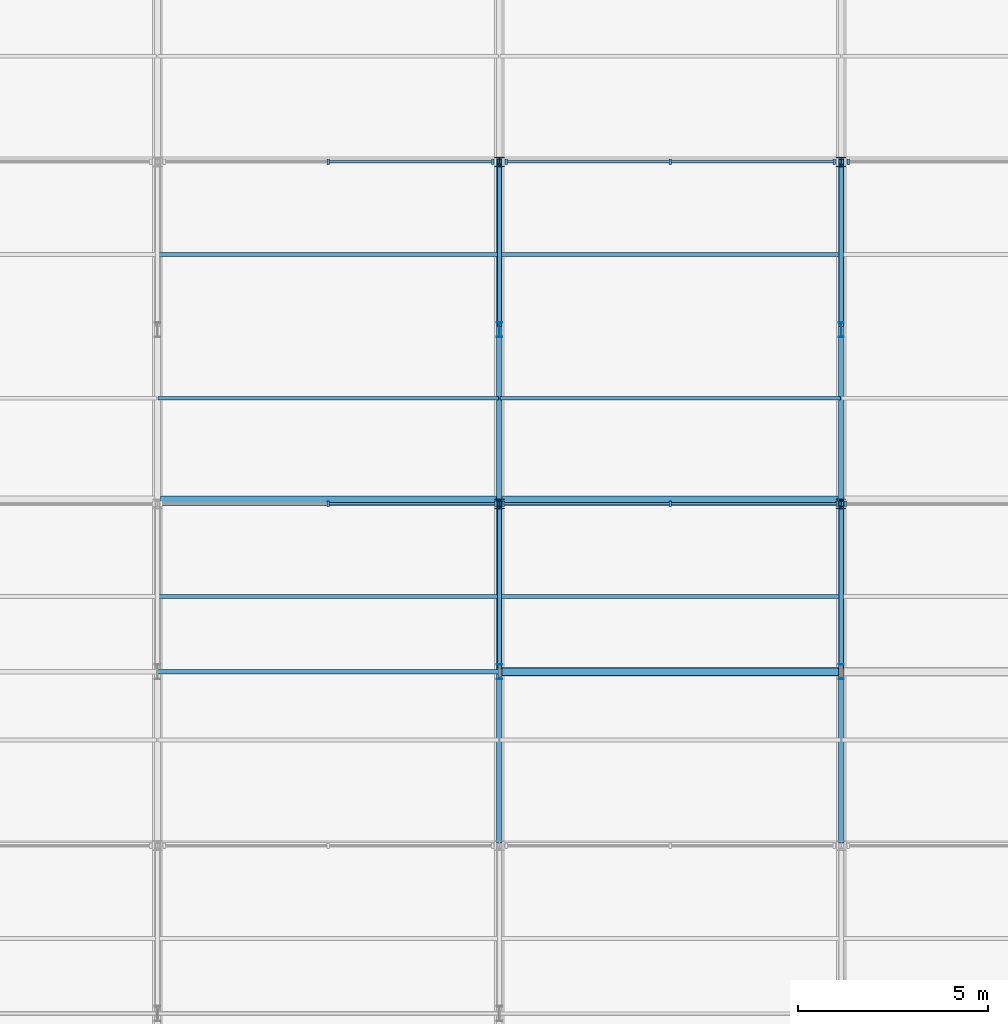
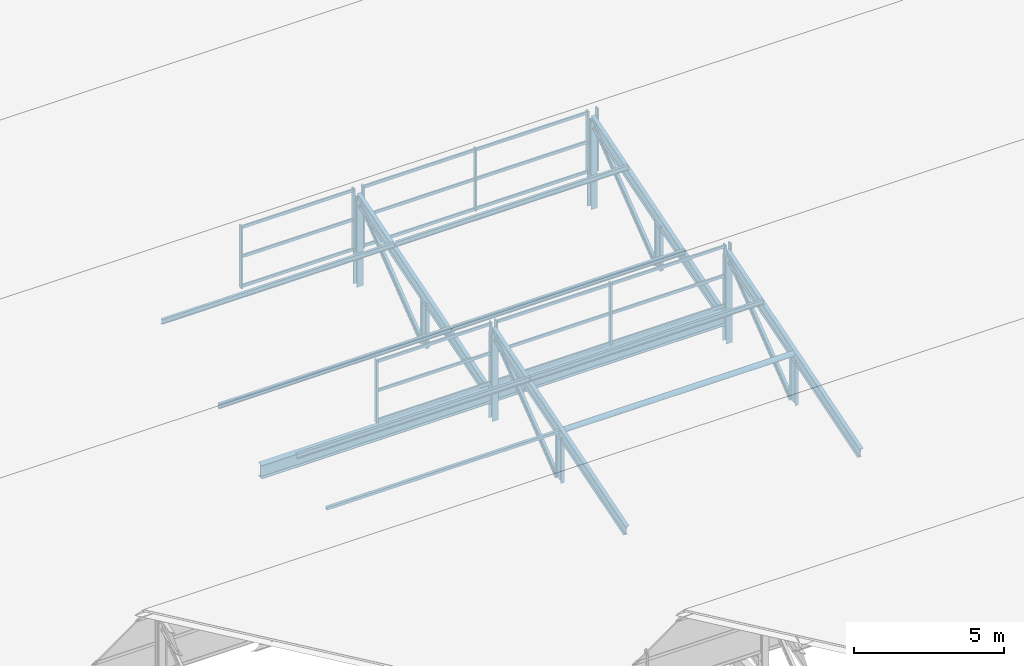
# One storey, part 52 of 163: 54 members, 2 beams, 6 elements without a shape of their own.
"""IFC4 building model written with IfcOpenShell, lengths in metres."""

from ifc_helpers import new_model, si_unit, direction, frame, origin, origin_2d, place, context, subcontext, project, spatial, rectangle, hollow_rectangle, hollow_circle, i_section, extrude, material, material_profile, profile_set, type_object, element, aggregate, save


model = new_model("IFC4")

# Units and contexts
model_context = context("Model", 3, precision=1e-05, world=origin(), true_north=direction((0.0, 1.0)))
body_context = subcontext(model_context, "Body", "Model", "MODEL_VIEW")
ifc_project = project(units=[si_unit("LENGTHUNIT", "METRE"), si_unit("AREAUNIT", "SQUARE_METRE"), si_unit("VOLUMEUNIT", "CUBIC_METRE"), si_unit("PLANEANGLEUNIT", "RADIAN"), si_unit("MASSUNIT", "GRAM", prefix="KILO")], contexts=[model_context])

# Site, building, storey
site_placement = place(None, origin())
site = spatial("IfcSite", under=ifc_project, at=site_placement, CompositionType="ELEMENT")
building_placement = place(site_placement, origin())
building = spatial("IfcBuilding", under=site, at=building_placement, Name="Tharagai Park Tramway Depot", CompositionType="ELEMENT")
storey_placement = place(building_placement, frame((0.0, 0.0, 8.39990234375)))
storey = spatial("IfcBuildingStorey", under=building, at=storey_placement, Name="L02", CompositionType="ELEMENT", Elevation=8.39990234375)

# Beams
ifc_material_1 = material(Name="Steel E350", Category="steel")
ifc_material_profile_1 = material_profile(ifc_material_1, i_section(OverallWidth=0.25, OverallDepth=0.550048828125, WebThickness=0.010498046875, FlangeThickness=0.017578125, FilletRadius=0.01611328125, at=origin_2d()), Name="ISWB 550")
ifc_profile_set_1 = profile_set([ifc_material_profile_1], Name="Steel E350")
beam_type = type_object("IfcBeamType", Name="BM-04", PredefinedType="BEAM", material=ifc_profile_set_1)
for number, where, z_axis, x_axis, name in (
    (1, (27.080078125, 117.0, 0.72509765625), (1.0, 0.0, 0.0), (0.0, 1.0, 0.0), "Sawtooth Valley Girder BM-04"),
    (2, (36.080078125, 117.0, 0.72509765625), (1.0, 0.0, 0.0), (0.0, 1.0, 0.0), "Sawtooth Valley Girder BM-04"),
):
    element("IfcBeam", number, at=place(storey_placement, frame(where, z_axis=z_axis, x_axis=x_axis)), inside=storey, type_object=beam_type, Name=name, PredefinedType="BEAM", context=body_context, shape_type="SweptSolid", body=[
        extrude(i_section(OverallWidth=0.25, OverallDepth=0.550048828125, WebThickness=0.010498046875, FlangeThickness=0.017578125, FilletRadius=0.01611328125, at=origin_2d()), origin(), (0.0, 0.0, 1.0), 8.83984375),
    ])

# Members
ifc_material_profile_2 = material_profile(ifc_material_1, i_section(OverallWidth=0.25, OverallDepth=0.25, WebThickness=0.0087890625, FlangeThickness=0.009765625, FilletRadius=0.010009765625, at=origin_2d()), Name="ISHB 250")
ifc_profile_set_2 = profile_set([ifc_material_profile_2], Name="Steel E350")
member_type_1 = type_object("IfcMemberType", Name="BR-01", PredefinedType="BRACE", material=ifc_profile_set_2)
for number, where, z_axis, x_axis, name in (
    (3, (36.0, 116.919921875, -0.25), (0.0, 0.0, 1.0), (1.0, 0.0, 0.0), "Sawtooth North Vertical Post BR-01"),
    (4, (36.0, 125.919921875, -0.25), (0.0, 0.0, 1.0), (1.0, 0.0, 0.0), "Sawtooth North Vertical Post BR-01"),
    (5, (45.0, 116.919921875, -0.25), (0.0, 0.0, 1.0), (1.0, 0.0, 0.0), "Sawtooth North Vertical Post BR-01"),
    (6, (45.0, 125.919921875, -0.25), (0.0, 0.0, 1.0), (1.0, 0.0, 0.0), "Sawtooth North Vertical Post BR-01"),
):
    element("IfcMember", number, at=place(storey_placement, frame(where, z_axis=z_axis, x_axis=x_axis)), inside=storey, type_object=member_type_1, Name=name, PredefinedType="BRACE", context=body_context, shape_type="SweptSolid", body=[
        extrude(i_section(OverallWidth=0.25, OverallDepth=0.25, WebThickness=0.0087890625, FlangeThickness=0.009765625, FilletRadius=0.010009765625, at=origin_2d()), origin(), (0.0, 0.0, 1.0), 3.55517578125),
    ])
ifc_material_profile_3 = material_profile(ifc_material_1, hollow_circle(Radius=0.109619140625, WallThickness=0.008056640625, at=origin_2d()), Name="CHS 219.1x8")
ifc_profile_set_3 = profile_set([ifc_material_profile_3], Name="Steel E350")
member_type_2 = type_object("IfcMemberType", Name="BR-03", PredefinedType="BRACE", material=ifc_profile_set_3)
member_1_placement = place(storey_placement, frame((36.02001953125, 112.5, 1.946533203125), z_axis=(1.0, 0.0, 0.0), x_axis=(0.0, 1.0, 0.0)))
element("IfcMember", 7, at=member_1_placement, inside=storey, type_object=member_type_2, Name="Sawtooth Tubular Tie Strut BR-03", PredefinedType="BRACE", context=body_context, shape_type="SweptSolid", body=[
    extrude(hollow_circle(Radius=0.109619140625, WallThickness=0.008056640625, at=origin_2d()), origin(), (0.0, 0.0, 1.0), 8.9599609375),
])
ifc_material_profile_4 = material_profile(ifc_material_1, i_section(OverallWidth=0.110107421875, OverallDepth=0.22509765625, WebThickness=0.006591796875, FlangeThickness=0.01171875, FilletRadius=0.011962890625, at=origin_2d()), Name="ISMB 225")
ifc_profile_set_4 = profile_set([ifc_material_profile_4], Name="Steel E350")
member_type_3 = type_object("IfcMemberType", Name="BR-04", PredefinedType="BRACE", material=ifc_profile_set_4)
for number, where, z_axis, x_axis, name in (
    (8, (36.0, 112.64990234375, 0.0), (0.0, 0.790781596, 0.612098413188), (-1.0, 0.0, 0.0), "Sawtooth Truss Web Diagonal BR-04"),
    (9, (36.0, 121.64990234375, 0.0), (0.0, 0.790781596, 0.612098413188), (-1.0, 0.0, 0.0), "Sawtooth Truss Web Diagonal BR-04"),
    (10, (45.0, 112.64990234375, 0.0), (0.0, 0.790781596, 0.612098413188), (-1.0, 0.0, 0.0), "Sawtooth Truss Web Diagonal BR-04"),
    (11, (45.0, 121.64990234375, 0.0), (0.0, 0.790781596, 0.612098413188), (-1.0, 0.0, 0.0), "Sawtooth Truss Web Diagonal BR-04"),
):
    element("IfcMember", number, at=place(storey_placement, frame(where, z_axis=z_axis, x_axis=x_axis)), inside=storey, type_object=member_type_3, Name=name, PredefinedType="BRACE", context=body_context, shape_type="SweptSolid", body=[
        extrude(i_section(OverallWidth=0.110107421875, OverallDepth=0.22509765625, WebThickness=0.006591796875, FlangeThickness=0.01171875, FilletRadius=0.011962890625, at=origin_2d()), origin(), (0.0, 0.0, 1.0), 5.399658203125),
    ])
ifc_material_2 = material(Name="Steel E250", Category="steel")
ifc_material_profile_5 = material_profile(ifc_material_2, hollow_rectangle(XDim=0.1201171875, YDim=0.1201171875, WallThickness=0.0048828125, InnerFilletRadius=0.0048828125, OuterFilletRadius=0.010009765625, at=origin_2d()), Name="SHS 120x120x5")
ifc_profile_set_5 = profile_set([ifc_material_profile_5], Name="Steel E250")
member_type_4 = type_object("IfcMemberType", Name="BR-08", PredefinedType="BRACE", material=ifc_profile_set_5)
member_2_placement = place(storey_placement, frame((27.02001953125, 112.5, 1.946533203125), z_axis=(1.0, 0.0, 0.0), x_axis=(0.0, 1.0, 0.0)))
element("IfcMember", 12, at=member_2_placement, inside=storey, type_object=member_type_4, Name="Sawtooth Tubular Tie Strut BR-08", PredefinedType="BRACE", context=body_context, shape_type="SweptSolid", body=[
    extrude(hollow_rectangle(XDim=0.1201171875, YDim=0.1201171875, WallThickness=0.0048828125, InnerFilletRadius=0.0048828125, OuterFilletRadius=0.010009765625, at=origin_2d()), origin(), (0.0, 0.0, 1.0), 8.9599609375),
])

# Curtain wall, members
ifc_material_3 = material(Name="Anodised aluminium", Category="aluminium")
curtain_wall_type_1 = type_object("IfcCurtainWallType", Name="CW-04", PredefinedType="NOTDEFINED", material=ifc_material_3)
curtain_wall_1_placement = place(storey_placement, origin())
curtain_wall_1 = element("IfcCurtainWall", 13, at=curtain_wall_1_placement, inside=storey, type_object=curtain_wall_type_1, Name="Sawtooth North-Light Clerestory CW-04", PredefinedType="NOTDEFINED")
ifc_material_profile_6 = material_profile(ifc_material_3, rectangle(XDim=0.06494140625, YDim=0.1201171875, at=origin_2d()), Name="ALU 65x120")
ifc_profile_set_6 = profile_set([ifc_material_profile_6], Name="Anodised aluminium")
member_type_5 = type_object("IfcMemberType", Name="CM-01", PredefinedType="USERDEFINED", material=ifc_profile_set_6)
member_3_placement = place(storey_placement, frame((31.514892578125, 116.919921875, 1.26513671875), z_axis=(1.0, 0.0, 0.0), x_axis=(0.0, 1.0, 0.0)))
member_3 = element("IfcMember", 14, at=member_3_placement, type_object=member_type_5, Name="Sawtooth North-Light Clerestory Transom 2.1", ObjectType="TRANSOM", PredefinedType="USERDEFINED", context=body_context, shape_type="SweptSolid", body=[
    extrude(rectangle(XDim=0.06494140625, YDim=0.1201171875, at=origin_2d()), origin(), (0.0, 0.0, 1.0), 4.3701171875),
])
member_4_placement = place(storey_placement, frame((31.514892578125, 116.919921875, 2.4736328125), z_axis=(1.0, 0.0, 0.0), x_axis=(0.0, 1.0, 0.0)))
member_4 = element("IfcMember", 15, at=member_4_placement, type_object=member_type_5, Name="Sawtooth North-Light Clerestory Transom 2.2", ObjectType="TRANSOM", PredefinedType="USERDEFINED", context=body_context, shape_type="SweptSolid", body=[
    extrude(rectangle(XDim=0.06494140625, YDim=0.1201171875, at=origin_2d()), origin(), (0.0, 0.0, 1.0), 4.3701171875),
])
member_5_placement = place(storey_placement, frame((31.514892578125, 116.919921875, 3.662353515625), z_axis=(1.0, 0.0, 0.0), x_axis=(0.0, 1.0, 0.0)))
member_5 = element("IfcMember", 16, at=member_5_placement, type_object=member_type_5, Name="Sawtooth North-Light Clerestory Transom 2.3", ObjectType="TRANSOM", PredefinedType="USERDEFINED", context=body_context, shape_type="SweptSolid", body=[
    extrude(rectangle(XDim=0.06494140625, YDim=0.1201171875, at=origin_2d()), origin(), (0.0, 0.0, 1.0), 4.3701171875),
])

curtain_wall_2_placement = place(storey_placement, origin())
curtain_wall_2 = element("IfcCurtainWall", 17, at=curtain_wall_2_placement, inside=storey, type_object=curtain_wall_type_1, Name="Sawtooth North-Light Clerestory CW-04", PredefinedType="NOTDEFINED")
member_6_placement = place(storey_placement, frame((36.114990234375, 116.919921875, 1.26513671875), z_axis=(1.0, 0.0, 0.0), x_axis=(0.0, 1.0, 0.0)))
member_6 = element("IfcMember", 18, at=member_6_placement, type_object=member_type_5, Name="Sawtooth North-Light Clerestory Transom 1.1", ObjectType="TRANSOM", PredefinedType="USERDEFINED", context=body_context, shape_type="SweptSolid", body=[
    extrude(rectangle(XDim=0.06494140625, YDim=0.1201171875, at=origin_2d()), origin(), (0.0, 0.0, 1.0), 4.3701171875),
])
member_7_placement = place(storey_placement, frame((36.114990234375, 116.919921875, 2.4736328125), z_axis=(1.0, 0.0, 0.0), x_axis=(0.0, 1.0, 0.0)))
member_7 = element("IfcMember", 19, at=member_7_placement, type_object=member_type_5, Name="Sawtooth North-Light Clerestory Transom 1.2", ObjectType="TRANSOM", PredefinedType="USERDEFINED", context=body_context, shape_type="SweptSolid", body=[
    extrude(rectangle(XDim=0.06494140625, YDim=0.1201171875, at=origin_2d()), origin(), (0.0, 0.0, 1.0), 4.3701171875),
])
member_8_placement = place(storey_placement, frame((36.114990234375, 116.919921875, 3.662353515625), z_axis=(1.0, 0.0, 0.0), x_axis=(0.0, 1.0, 0.0)))
member_8 = element("IfcMember", 20, at=member_8_placement, type_object=member_type_5, Name="Sawtooth North-Light Clerestory Transom 1.3", ObjectType="TRANSOM", PredefinedType="USERDEFINED", context=body_context, shape_type="SweptSolid", body=[
    extrude(rectangle(XDim=0.06494140625, YDim=0.1201171875, at=origin_2d()), origin(), (0.0, 0.0, 1.0), 4.3701171875),
])
member_9_placement = place(storey_placement, frame((40.514892578125, 116.919921875, 1.26513671875), z_axis=(1.0, 0.0, 0.0), x_axis=(0.0, 1.0, 0.0)))
member_9 = element("IfcMember", 21, at=member_9_placement, type_object=member_type_5, Name="Sawtooth North-Light Clerestory Transom 2.1", ObjectType="TRANSOM", PredefinedType="USERDEFINED", context=body_context, shape_type="SweptSolid", body=[
    extrude(rectangle(XDim=0.06494140625, YDim=0.1201171875, at=origin_2d()), origin(), (0.0, 0.0, 1.0), 4.3701171875),
])
member_10_placement = place(storey_placement, frame((40.514892578125, 116.919921875, 2.4736328125), z_axis=(1.0, 0.0, 0.0), x_axis=(0.0, 1.0, 0.0)))
member_10 = element("IfcMember", 22, at=member_10_placement, type_object=member_type_5, Name="Sawtooth North-Light Clerestory Transom 2.2", ObjectType="TRANSOM", PredefinedType="USERDEFINED", context=body_context, shape_type="SweptSolid", body=[
    extrude(rectangle(XDim=0.06494140625, YDim=0.1201171875, at=origin_2d()), origin(), (0.0, 0.0, 1.0), 4.3701171875),
])
member_11_placement = place(storey_placement, frame((40.514892578125, 116.919921875, 3.662353515625), z_axis=(1.0, 0.0, 0.0), x_axis=(0.0, 1.0, 0.0)))
member_11 = element("IfcMember", 23, at=member_11_placement, type_object=member_type_5, Name="Sawtooth North-Light Clerestory Transom 2.3", ObjectType="TRANSOM", PredefinedType="USERDEFINED", context=body_context, shape_type="SweptSolid", body=[
    extrude(rectangle(XDim=0.06494140625, YDim=0.1201171875, at=origin_2d()), origin(), (0.0, 0.0, 1.0), 4.3701171875),
])

curtain_wall_type_2 = type_object("IfcCurtainWallType", Name="CW-03", PredefinedType="NOTDEFINED", material=ifc_material_3)
curtain_wall_3_placement = place(storey_placement, origin())
curtain_wall_3 = element("IfcCurtainWall", 24, at=curtain_wall_3_placement, inside=storey, type_object=curtain_wall_type_2, Name="Sawtooth North-Light Clerestory CW-03", PredefinedType="NOTDEFINED")
member_12_placement = place(storey_placement, frame((31.514892578125, 125.919921875, 1.26513671875), z_axis=(1.0, 0.0, 0.0), x_axis=(0.0, 1.0, 0.0)))
member_12 = element("IfcMember", 25, at=member_12_placement, type_object=member_type_5, Name="Sawtooth North-Light Clerestory Transom 2.1", ObjectType="TRANSOM", PredefinedType="USERDEFINED", context=body_context, shape_type="SweptSolid", body=[
    extrude(rectangle(XDim=0.06494140625, YDim=0.1201171875, at=origin_2d()), origin(), (0.0, 0.0, 1.0), 4.2900390625),
])
member_13_placement = place(storey_placement, frame((31.514892578125, 125.919921875, 2.4736328125), z_axis=(1.0, 0.0, 0.0), x_axis=(0.0, 1.0, 0.0)))
member_13 = element("IfcMember", 26, at=member_13_placement, type_object=member_type_5, Name="Sawtooth North-Light Clerestory Transom 2.2", ObjectType="TRANSOM", PredefinedType="USERDEFINED", context=body_context, shape_type="SweptSolid", body=[
    extrude(rectangle(XDim=0.06494140625, YDim=0.1201171875, at=origin_2d()), origin(), (0.0, 0.0, 1.0), 4.2900390625),
])
member_14_placement = place(storey_placement, frame((31.514892578125, 125.919921875, 3.662353515625), z_axis=(1.0, 0.0, 0.0), x_axis=(0.0, 1.0, 0.0)))
member_14 = element("IfcMember", 27, at=member_14_placement, type_object=member_type_5, Name="Sawtooth North-Light Clerestory Transom 2.3", ObjectType="TRANSOM", PredefinedType="USERDEFINED", context=body_context, shape_type="SweptSolid", body=[
    extrude(rectangle(XDim=0.06494140625, YDim=0.1201171875, at=origin_2d()), origin(), (0.0, 0.0, 1.0), 4.2900390625),
])

curtain_wall_4_placement = place(storey_placement, origin())
curtain_wall_4 = element("IfcCurtainWall", 28, at=curtain_wall_4_placement, inside=storey, type_object=curtain_wall_type_2, Name="Sawtooth North-Light Clerestory CW-03", PredefinedType="NOTDEFINED")
member_15_placement = place(storey_placement, frame((36.195068359375, 125.919921875, 1.26513671875), z_axis=(1.0, 0.0, 0.0), x_axis=(0.0, 1.0, 0.0)))
member_15 = element("IfcMember", 29, at=member_15_placement, type_object=member_type_5, Name="Sawtooth North-Light Clerestory Transom 1.1", ObjectType="TRANSOM", PredefinedType="USERDEFINED", context=body_context, shape_type="SweptSolid", body=[
    extrude(rectangle(XDim=0.06494140625, YDim=0.1201171875, at=origin_2d()), origin(), (0.0, 0.0, 1.0), 4.2900390625),
])
member_16_placement = place(storey_placement, frame((36.195068359375, 125.919921875, 2.4736328125), z_axis=(1.0, 0.0, 0.0), x_axis=(0.0, 1.0, 0.0)))
member_16 = element("IfcMember", 30, at=member_16_placement, type_object=member_type_5, Name="Sawtooth North-Light Clerestory Transom 1.2", ObjectType="TRANSOM", PredefinedType="USERDEFINED", context=body_context, shape_type="SweptSolid", body=[
    extrude(rectangle(XDim=0.06494140625, YDim=0.1201171875, at=origin_2d()), origin(), (0.0, 0.0, 1.0), 4.2900390625),
])
member_17_placement = place(storey_placement, frame((36.195068359375, 125.919921875, 3.662353515625), z_axis=(1.0, 0.0, 0.0), x_axis=(0.0, 1.0, 0.0)))
member_17 = element("IfcMember", 31, at=member_17_placement, type_object=member_type_5, Name="Sawtooth North-Light Clerestory Transom 1.3", ObjectType="TRANSOM", PredefinedType="USERDEFINED", context=body_context, shape_type="SweptSolid", body=[
    extrude(rectangle(XDim=0.06494140625, YDim=0.1201171875, at=origin_2d()), origin(), (0.0, 0.0, 1.0), 4.2900390625),
])
member_18_placement = place(storey_placement, frame((40.514892578125, 125.919921875, 1.26513671875), z_axis=(1.0, 0.0, 0.0), x_axis=(0.0, 1.0, 0.0)))
member_18 = element("IfcMember", 32, at=member_18_placement, type_object=member_type_5, Name="Sawtooth North-Light Clerestory Transom 2.1", ObjectType="TRANSOM", PredefinedType="USERDEFINED", context=body_context, shape_type="SweptSolid", body=[
    extrude(rectangle(XDim=0.06494140625, YDim=0.1201171875, at=origin_2d()), origin(), (0.0, 0.0, 1.0), 4.2900390625),
])
member_19_placement = place(storey_placement, frame((40.514892578125, 125.919921875, 2.4736328125), z_axis=(1.0, 0.0, 0.0), x_axis=(0.0, 1.0, 0.0)))
member_19 = element("IfcMember", 33, at=member_19_placement, type_object=member_type_5, Name="Sawtooth North-Light Clerestory Transom 2.2", ObjectType="TRANSOM", PredefinedType="USERDEFINED", context=body_context, shape_type="SweptSolid", body=[
    extrude(rectangle(XDim=0.06494140625, YDim=0.1201171875, at=origin_2d()), origin(), (0.0, 0.0, 1.0), 4.2900390625),
])
member_20_placement = place(storey_placement, frame((40.514892578125, 125.919921875, 3.662353515625), z_axis=(1.0, 0.0, 0.0), x_axis=(0.0, 1.0, 0.0)))
member_20 = element("IfcMember", 34, at=member_20_placement, type_object=member_type_5, Name="Sawtooth North-Light Clerestory Transom 2.3", ObjectType="TRANSOM", PredefinedType="USERDEFINED", context=body_context, shape_type="SweptSolid", body=[
    extrude(rectangle(XDim=0.06494140625, YDim=0.1201171875, at=origin_2d()), origin(), (0.0, 0.0, 1.0), 4.2900390625),
])

# Member
ifc_material_profile_7 = material_profile(ifc_material_3, rectangle(XDim=0.06494140625, YDim=0.14990234375, at=origin_2d()), Name="ALU 65x150")
ifc_profile_set_7 = profile_set([ifc_material_profile_7], Name="Anodised aluminium")
member_type_6 = type_object("IfcMemberType", Name="CM-03", PredefinedType="MULLION", material=ifc_profile_set_7)
member_21_placement = place(storey_placement, frame((31.5, 116.919921875, 1.2001953125), z_axis=(0.0, 0.0, 1.0), x_axis=(1.0, 0.0, 0.0)))
member_21 = element("IfcMember", 35, at=member_21_placement, type_object=member_type_6, Name="Sawtooth North-Light Clerestory Mullion 2", PredefinedType="MULLION", context=body_context, shape_type="SweptSolid", body=[
    extrude(rectangle(XDim=0.06494140625, YDim=0.14990234375, at=origin_2d()), origin(), (0.0, 0.0, 1.0), 2.547119140625),
])

member_22_placement = place(storey_placement, frame((35.89990234375, 116.919921875, 1.2001953125), z_axis=(0.0, 0.0, 1.0), x_axis=(1.0, 0.0, 0.0)))
member_22 = element("IfcMember", 36, at=member_22_placement, type_object=member_type_6, Name="Sawtooth North-Light Clerestory Mullion 3", PredefinedType="MULLION", context=body_context, shape_type="SweptSolid", body=[
    extrude(rectangle(XDim=0.06494140625, YDim=0.14990234375, at=origin_2d()), origin(), (0.0, 0.0, 1.0), 2.547119140625),
])

aggregate(curtain_wall_1, [member_21, member_22, member_3, member_4, member_5])

member_23_placement = place(storey_placement, frame((36.10009765625, 116.919921875, 1.2001953125), z_axis=(0.0, 0.0, 1.0), x_axis=(1.0, 0.0, 0.0)))
member_23 = element("IfcMember", 37, at=member_23_placement, type_object=member_type_6, Name="Sawtooth North-Light Clerestory Mullion 1", PredefinedType="MULLION", context=body_context, shape_type="SweptSolid", body=[
    extrude(rectangle(XDim=0.06494140625, YDim=0.14990234375, at=origin_2d()), origin(), (0.0, 0.0, 1.0), 2.547119140625),
])

member_24_placement = place(storey_placement, frame((40.5, 116.919921875, 1.2001953125), z_axis=(0.0, 0.0, 1.0), x_axis=(1.0, 0.0, 0.0)))
member_24 = element("IfcMember", 38, at=member_24_placement, type_object=member_type_6, Name="Sawtooth North-Light Clerestory Mullion 2", PredefinedType="MULLION", context=body_context, shape_type="SweptSolid", body=[
    extrude(rectangle(XDim=0.06494140625, YDim=0.14990234375, at=origin_2d()), origin(), (0.0, 0.0, 1.0), 2.547119140625),
])

member_25_placement = place(storey_placement, frame((44.89990234375, 116.919921875, 1.2001953125), z_axis=(0.0, 0.0, 1.0), x_axis=(1.0, 0.0, 0.0)))
member_25 = element("IfcMember", 39, at=member_25_placement, type_object=member_type_6, Name="Sawtooth North-Light Clerestory Mullion 3", PredefinedType="MULLION", context=body_context, shape_type="SweptSolid", body=[
    extrude(rectangle(XDim=0.06494140625, YDim=0.14990234375, at=origin_2d()), origin(), (0.0, 0.0, 1.0), 2.547119140625),
])

aggregate(curtain_wall_2, [member_23, member_24, member_25, member_6, member_7, member_8, member_9, member_10, member_11])

# Curtain wall, member
curtain_wall_5_placement = place(storey_placement, origin())
curtain_wall_5 = element("IfcCurtainWall", 40, at=curtain_wall_5_placement, inside=storey, type_object=curtain_wall_type_1, Name="Sawtooth North-Light Clerestory CW-04", PredefinedType="NOTDEFINED")
member_26_placement = place(storey_placement, frame((45.10009765625, 116.919921875, 1.2001953125), z_axis=(0.0, 0.0, 1.0), x_axis=(1.0, 0.0, 0.0)))
member_26 = element("IfcMember", 41, at=member_26_placement, type_object=member_type_6, Name="Sawtooth North-Light Clerestory Mullion 1", PredefinedType="MULLION", context=body_context, shape_type="SweptSolid", body=[
    extrude(rectangle(XDim=0.06494140625, YDim=0.14990234375, at=origin_2d()), origin(), (0.0, 0.0, 1.0), 2.547119140625),
])
aggregate(curtain_wall_5, [member_26])

# Member
member_27_placement = place(storey_placement, frame((31.5, 125.919921875, 1.2001953125), z_axis=(0.0, 0.0, 1.0), x_axis=(1.0, 0.0, 0.0)))
member_27 = element("IfcMember", 42, at=member_27_placement, type_object=member_type_6, Name="Sawtooth North-Light Clerestory Mullion 2", PredefinedType="MULLION", context=body_context, shape_type="SweptSolid", body=[
    extrude(rectangle(XDim=0.06494140625, YDim=0.14990234375, at=origin_2d()), origin(), (0.0, 0.0, 1.0), 2.547119140625),
])

member_28_placement = place(storey_placement, frame((35.820068359375, 125.919921875, 1.2001953125), z_axis=(0.0, 0.0, 1.0), x_axis=(1.0, 0.0, 0.0)))
member_28 = element("IfcMember", 43, at=member_28_placement, type_object=member_type_6, Name="Sawtooth North-Light Clerestory Mullion 3", PredefinedType="MULLION", context=body_context, shape_type="SweptSolid", body=[
    extrude(rectangle(XDim=0.06494140625, YDim=0.14990234375, at=origin_2d()), origin(), (0.0, 0.0, 1.0), 2.547119140625),
])

aggregate(curtain_wall_3, [member_27, member_28, member_12, member_13, member_14])

member_29_placement = place(storey_placement, frame((36.179931640625, 125.919921875, 1.2001953125), z_axis=(0.0, 0.0, 1.0), x_axis=(1.0, 0.0, 0.0)))
member_29 = element("IfcMember", 44, at=member_29_placement, type_object=member_type_6, Name="Sawtooth North-Light Clerestory Mullion 1", PredefinedType="MULLION", context=body_context, shape_type="SweptSolid", body=[
    extrude(rectangle(XDim=0.06494140625, YDim=0.14990234375, at=origin_2d()), origin(), (0.0, 0.0, 1.0), 2.547119140625),
])

member_30_placement = place(storey_placement, frame((40.5, 125.919921875, 1.2001953125), z_axis=(0.0, 0.0, 1.0), x_axis=(1.0, 0.0, 0.0)))
member_30 = element("IfcMember", 45, at=member_30_placement, type_object=member_type_6, Name="Sawtooth North-Light Clerestory Mullion 2", PredefinedType="MULLION", context=body_context, shape_type="SweptSolid", body=[
    extrude(rectangle(XDim=0.06494140625, YDim=0.14990234375, at=origin_2d()), origin(), (0.0, 0.0, 1.0), 2.547119140625),
])

member_31_placement = place(storey_placement, frame((44.820068359375, 125.919921875, 1.2001953125), z_axis=(0.0, 0.0, 1.0), x_axis=(1.0, 0.0, 0.0)))
member_31 = element("IfcMember", 46, at=member_31_placement, type_object=member_type_6, Name="Sawtooth North-Light Clerestory Mullion 3", PredefinedType="MULLION", context=body_context, shape_type="SweptSolid", body=[
    extrude(rectangle(XDim=0.06494140625, YDim=0.14990234375, at=origin_2d()), origin(), (0.0, 0.0, 1.0), 2.547119140625),
])

aggregate(curtain_wall_4, [member_29, member_30, member_31, member_15, member_16, member_17, member_18, member_19, member_20])

# Curtain wall, member
curtain_wall_6_placement = place(storey_placement, origin())
curtain_wall_6 = element("IfcCurtainWall", 47, at=curtain_wall_6_placement, inside=storey, type_object=curtain_wall_type_2, Name="Sawtooth North-Light Clerestory CW-03", PredefinedType="NOTDEFINED")
member_32_placement = place(storey_placement, frame((45.179931640625, 125.919921875, 1.2001953125), z_axis=(0.0, 0.0, 1.0), x_axis=(1.0, 0.0, 0.0)))
member_32 = element("IfcMember", 48, at=member_32_placement, type_object=member_type_6, Name="Sawtooth North-Light Clerestory Mullion 1", PredefinedType="MULLION", context=body_context, shape_type="SweptSolid", body=[
    extrude(rectangle(XDim=0.06494140625, YDim=0.14990234375, at=origin_2d()), origin(), (0.0, 0.0, 1.0), 2.547119140625),
])
aggregate(curtain_wall_6, [member_32])

# Members
ifc_material_profile_8 = material_profile(ifc_material_2, i_section(OverallWidth=0.10009765625, OverallDepth=0.199951171875, WebThickness=0.00537109375, FlangeThickness=0.00732421875, FilletRadius=0.009033203125, at=origin_2d()), Name="ISLB 200")
ifc_profile_set_8 = profile_set([ifc_material_profile_8], Name="Steel E250")
member_type_7 = type_object("IfcMemberType", Name="PR-03", PredefinedType="PURLIN", material=ifc_profile_set_8)
for number, where, z_axis, x_axis, name in (
    (49, (27.02001953125, 119.699951171875, 1.733154296875), (1.0, 0.0, 0.0), (0.0, 1.0, 0.0), "Sawtooth Roof Purlin PR-03"),
    (50, (27.02001953125, 123.47998046875, 2.87451171875), (1.0, 0.0, 0.0), (0.0, 1.0, 0.0), "Sawtooth Roof Purlin PR-03"),
    (51, (36.02001953125, 119.699951171875, 1.733154296875), (1.0, 0.0, 0.0), (0.0, 1.0, 0.0), "Sawtooth Roof Purlin PR-03"),
    (52, (36.02001953125, 123.47998046875, 2.87451171875), (1.0, 0.0, 0.0), (0.0, 1.0, 0.0), "Sawtooth Roof Purlin PR-03"),
):
    element("IfcMember", number, at=place(storey_placement, frame(where, z_axis=z_axis, x_axis=x_axis)), inside=storey, type_object=member_type_7, Name=name, PredefinedType="PURLIN", context=body_context, shape_type="SweptSolid", body=[
        extrude(i_section(OverallWidth=0.10009765625, OverallDepth=0.199951171875, WebThickness=0.00537109375, FlangeThickness=0.00732421875, FilletRadius=0.009033203125, at=origin_2d()), origin(), (0.0, 0.0, 1.0), 8.9599609375),
    ])
ifc_material_profile_9 = material_profile(ifc_material_2, i_section(OverallWidth=0.10009765625, OverallDepth=0.199951171875, WebThickness=0.005615234375, FlangeThickness=0.0107421875, FilletRadius=0.010986328125, at=origin_2d()), Name="ISMB 200")
ifc_profile_set_9 = profile_set([ifc_material_profile_9], Name="Steel E250")
member_type_8 = type_object("IfcMemberType", Name="PR-04", PredefinedType="PURLIN", material=ifc_profile_set_9)
for number, where, z_axis, x_axis, name in (
    (53, (27.02001953125, 114.47998046875, 2.87451171875), (1.0, 0.0, 0.0), (0.0, 1.0, 0.0), "Sawtooth Roof Purlin PR-04"),
    (54, (36.02001953125, 114.47998046875, 2.87451171875), (1.0, 0.0, 0.0), (0.0, 1.0, 0.0), "Sawtooth Roof Purlin PR-04"),
):
    element("IfcMember", number, at=place(storey_placement, frame(where, z_axis=z_axis, x_axis=x_axis)), inside=storey, type_object=member_type_8, Name=name, PredefinedType="PURLIN", context=body_context, shape_type="SweptSolid", body=[
        extrude(i_section(OverallWidth=0.10009765625, OverallDepth=0.199951171875, WebThickness=0.005615234375, FlangeThickness=0.0107421875, FilletRadius=0.010986328125, at=origin_2d()), origin(), (0.0, 0.0, 1.0), 8.9599609375),
    ])
ifc_material_profile_10 = material_profile(ifc_material_1, i_section(OverallWidth=0.14990234375, OverallDepth=0.449951171875, WebThickness=0.009521484375, FlangeThickness=0.017333984375, FilletRadius=0.014892578125, at=origin_2d()), Name="ISMB 450")
ifc_profile_set_10 = profile_set([ifc_material_profile_10], Name="Steel E350")
member_type_9 = type_object("IfcMemberType", Name="TC-05", PredefinedType="CHORD", material=ifc_profile_set_10)
for number, where, z_axis, x_axis, name in (
    (55, (36.0, 108.06005859375, 0.587890625), (0.0, 0.956231486327, 0.29261125159), (-1.0, 0.0, 0.0), "Sawtooth Top Chord TC-05"),
    (56, (36.0, 117.06005859375, 0.587890625), (0.0, 0.956231486327, 0.29261125159), (-1.0, 0.0, 0.0), "Sawtooth Top Chord TC-05"),
    (57, (45.0, 108.06005859375, 0.587890625), (0.0, 0.956231486327, 0.29261125159), (-1.0, 0.0, 0.0), "Sawtooth Top Chord TC-05"),
    (58, (45.0, 117.06005859375, 0.587890625), (0.0, 0.956231486327, 0.29261125159), (-1.0, 0.0, 0.0), "Sawtooth Top Chord TC-05"),
):
    element("IfcMember", number, at=place(storey_placement, frame(where, z_axis=z_axis, x_axis=x_axis)), inside=storey, type_object=member_type_9, Name=name, PredefinedType="CHORD", context=body_context, shape_type="SweptSolid", body=[
        extrude(i_section(OverallWidth=0.14990234375, OverallDepth=0.449951171875, WebThickness=0.009521484375, FlangeThickness=0.017333984375, FilletRadius=0.014892578125, at=origin_2d()), origin(), (0.0, 0.0, 1.0), 9.286376953125),
    ])
ifc_material_profile_11 = material_profile(ifc_material_1, i_section(OverallWidth=0.139892578125, OverallDepth=0.39990234375, WebThickness=0.0087890625, FlangeThickness=0.01611328125, FilletRadius=0.013916015625, at=origin_2d()), Name="ISMB 400")
ifc_profile_set_11 = profile_set([ifc_material_profile_11], Name="Steel E350")
member_type_10 = type_object("IfcMemberType", Name="TC-06", PredefinedType="CHORD", material=ifc_profile_set_11)
for number, where, z_axis, x_axis, name in (
    (59, (36.0, 112.5, -0.0498046875), (0.0, 0.0, 1.0), (1.0, 0.0, 0.0), "Sawtooth Mid-Tooth Strut TC-06"),
    (60, (36.0, 121.5, -0.0498046875), (0.0, 0.0, 1.0), (1.0, 0.0, 0.0), "Sawtooth Mid-Tooth Strut TC-06"),
    (61, (45.0, 112.5, -0.0498046875), (0.0, 0.0, 1.0), (1.0, 0.0, 0.0), "Sawtooth Mid-Tooth Strut TC-06"),
    (62, (45.0, 121.5, -0.0498046875), (0.0, 0.0, 1.0), (1.0, 0.0, 0.0), "Sawtooth Mid-Tooth Strut TC-06"),
):
    element("IfcMember", number, at=place(storey_placement, frame(where, z_axis=z_axis, x_axis=x_axis)), inside=storey, type_object=member_type_10, Name=name, PredefinedType="CHORD", context=body_context, shape_type="SweptSolid", body=[
        extrude(i_section(OverallWidth=0.139892578125, OverallDepth=0.39990234375, WebThickness=0.0087890625, FlangeThickness=0.01611328125, FilletRadius=0.013916015625, at=origin_2d()), origin(), (0.0, 0.0, 1.0), 1.846435546875),
    ])

save(model, "model.ifc")
